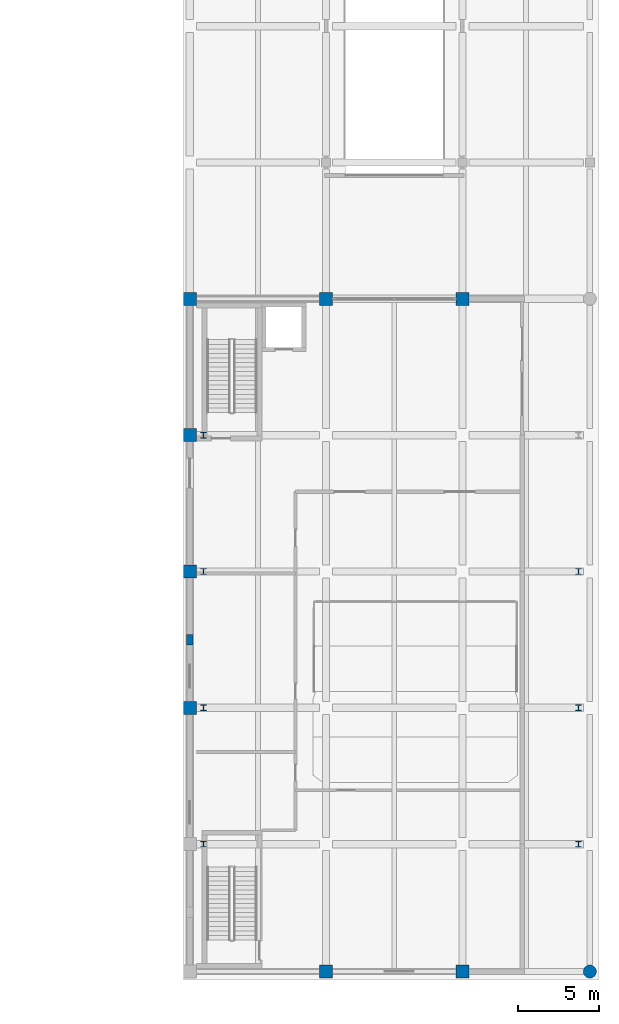
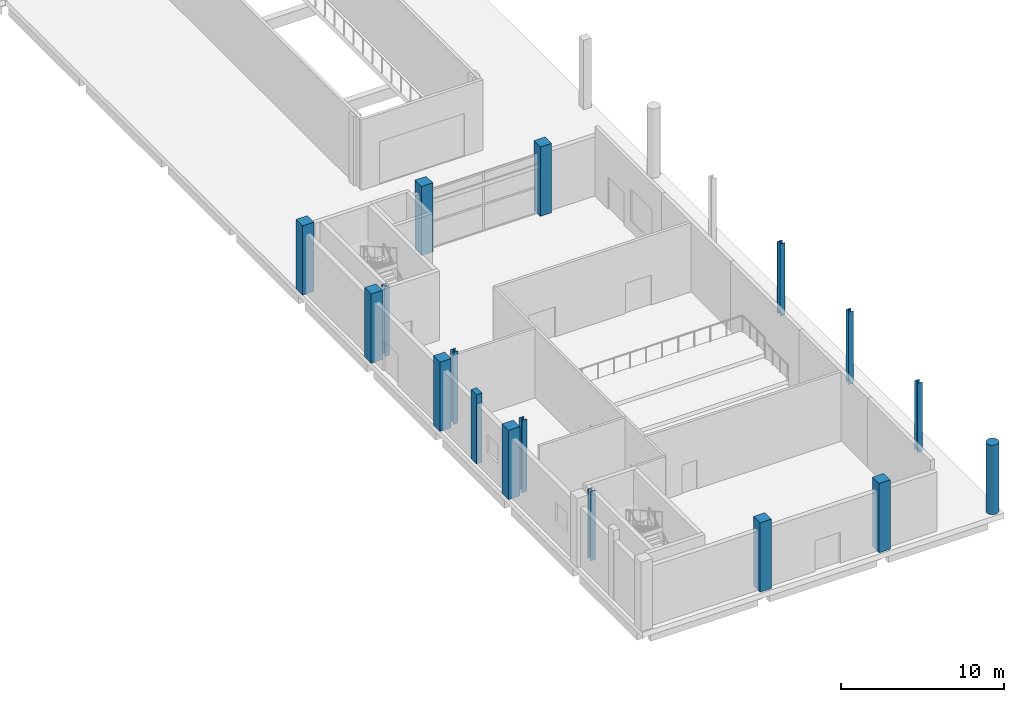
# One storey, part 2 of 34: 17 columns.
"""IFC4 building model written with IfcOpenShell, lengths in metres."""

from ifc_helpers import new_model, si_unit, direction, frame, origin, origin_2d, place, context, subcontext, project, spatial, rectangle, circle, i_section, extrude, material, material_profile, profile_set, type_object, element, save


model = new_model("IFC4")

# Units and contexts
model_context = context("Model", 3, precision=1e-05, world=origin(), true_north=direction((0.0, 1.0)))
body_context = subcontext(model_context, "Body", "Model", "MODEL_VIEW")
ifc_project = project(units=[si_unit("LENGTHUNIT", "METRE"), si_unit("AREAUNIT", "SQUARE_METRE"), si_unit("VOLUMEUNIT", "CUBIC_METRE"), si_unit("PLANEANGLEUNIT", "RADIAN"), si_unit("MASSUNIT", "GRAM", prefix="KILO")], contexts=[model_context])

# Site, building, storey
site_placement = place(None, origin())
site = spatial("IfcSite", under=ifc_project, at=site_placement, CompositionType="ELEMENT")
building_placement = place(site_placement, origin())
building = spatial("IfcBuilding", under=site, at=building_placement, Name="Brinegate Botanical Conservatory", CompositionType="ELEMENT")
storey_placement = place(building_placement, origin())
storey = spatial("IfcBuildingStorey", under=building, at=storey_placement, Name="L01", CompositionType="ELEMENT", Elevation=0.0)

# Columns
ifc_material_1 = material(Name="Concrete C40/50", Category="concrete")
ifc_material_profile_1 = material_profile(ifc_material_1, circle(Radius=0.39990234375, at=origin_2d()), Name="RC COL D800")
ifc_profile_set_1 = profile_set([ifc_material_profile_1], Name="Concrete C40/50")
column_type_1 = type_object("IfcColumnType", Name="Col_C-QL", PredefinedType="COLUMN", material=ifc_profile_set_1)
column_1_placement = place(storey_placement, frame((163.449951171875, 0.550048828125, 0.0), z_axis=(0.0, 0.0, 1.0), x_axis=(1.0, 0.0, 0.0)))
element("IfcColumn", 1, at=column_1_placement, inside=storey, type_object=column_type_1, Name="Column C-QL L01 A-21", PredefinedType="COLUMN", context=body_context, shape_type="SweptSolid", body=[
    extrude(circle(Radius=0.39990234375, at=origin_2d()), origin(), (0.0, 0.0, 1.0), 5.179931640625),
])
ifc_material_2 = material(Name="Structural steel Q355B / S355", Category="steel")
ifc_material_profile_2 = material_profile(ifc_material_2, i_section(OverallWidth=0.35009765625, OverallDepth=0.35009765625, WebThickness=0.011962890625, FlangeThickness=0.01904296875, at=origin_2d()), Name="HW 350x350x12x19")
ifc_profile_set_2 = profile_set([ifc_material_profile_2], Name="Structural steel Q355B / S355")
column_type_2 = type_object("IfcColumnType", Name="Col_C-S1", PredefinedType="COLUMN", material=ifc_profile_set_2)
column_2_placement = place(storey_placement, frame((139.64990234375, 8.39990234375, 0.0), z_axis=(0.0, 0.0, 1.0), x_axis=(1.0, 0.0, 0.0)))
element("IfcColumn", 2, at=column_2_placement, inside=storey, type_object=column_type_2, Name="Auditorium truss bearing column W1 L01", PredefinedType="COLUMN", context=body_context, shape_type="SweptSolid", body=[
    extrude(i_section(OverallWidth=0.35009765625, OverallDepth=0.35009765625, WebThickness=0.011962890625, FlangeThickness=0.01904296875, at=origin_2d()), origin(), (0.0, 0.0, 1.0), 5.179931640625),
])
for number, where, z_axis, x_axis, name in (
    (3, (139.64990234375, 16.800048828125, 0.0), (0.0, 0.0, 1.0), (1.0, 0.0, 0.0), "Auditorium truss bearing column W2 L01"),
    (4, (139.64990234375, 25.199951171875, 0.0), (0.0, 0.0, 1.0), (1.0, 0.0, 0.0), "Auditorium truss bearing column W3 L01"),
):
    element("IfcColumn", number, at=place(storey_placement, frame(where, z_axis=z_axis, x_axis=x_axis)), inside=storey, type_object=column_type_2, Name=name, PredefinedType="COLUMN", context=body_context, shape_type="SweptSolid", body=[
        extrude(i_section(OverallWidth=0.35009765625, OverallDepth=0.35009765625, WebThickness=0.011962890625, FlangeThickness=0.01904296875, at=origin_2d()), origin(), (0.0, 0.0, 1.0), 5.39990234375),
    ])
for number, where, z_axis, x_axis, name in (
    (5, (139.64990234375, 33.60009765625, 0.0), (0.0, 0.0, 1.0), (1.0, 0.0, 0.0), "Auditorium truss bearing column W4 L01"),
    (6, (162.75, 8.39990234375, 0.0), (0.0, 0.0, 1.0), (1.0, 0.0, 0.0), "Auditorium truss bearing column E1 L01"),
):
    element("IfcColumn", number, at=place(storey_placement, frame(where, z_axis=z_axis, x_axis=x_axis)), inside=storey, type_object=column_type_2, Name=name, PredefinedType="COLUMN", context=body_context, shape_type="SweptSolid", body=[
        extrude(i_section(OverallWidth=0.35009765625, OverallDepth=0.35009765625, WebThickness=0.011962890625, FlangeThickness=0.01904296875, at=origin_2d()), origin(), (0.0, 0.0, 1.0), 5.179931640625),
    ])
for number, where, z_axis, x_axis, name in (
    (7, (162.75, 16.800048828125, 0.0), (0.0, 0.0, 1.0), (1.0, 0.0, 0.0), "Auditorium truss bearing column E2 L01"),
    (8, (162.75, 25.199951171875, 0.0), (0.0, 0.0, 1.0), (1.0, 0.0, 0.0), "Auditorium truss bearing column E3 L01"),
):
    element("IfcColumn", number, at=place(storey_placement, frame(where, z_axis=z_axis, x_axis=x_axis)), inside=storey, type_object=column_type_2, Name=name, PredefinedType="COLUMN", context=body_context, shape_type="SweptSolid", body=[
        extrude(i_section(OverallWidth=0.35009765625, OverallDepth=0.35009765625, WebThickness=0.011962890625, FlangeThickness=0.01904296875, at=origin_2d()), origin(), (0.0, 0.0, 1.0), 5.39990234375),
    ])
ifc_material_profile_3 = material_profile(ifc_material_1, rectangle(XDim=0.800048828125, YDim=0.800048828125, at=origin_2d()), Name="RC COL 800x800")
ifc_profile_set_3 = profile_set([ifc_material_profile_3], Name="Concrete C40/50")
column_type_3 = type_object("IfcColumnType", Name="Col_C-W1", PredefinedType="COLUMN", material=ifc_profile_set_3)
for number, where, z_axis, x_axis, name in (
    (9, (138.800048828125, 16.800048828125, 0.0), (0.0, 0.0, 1.0), (1.0, 0.0, 0.0), "Column C-W1 L01 C-18"),
    (10, (138.800048828125, 25.199951171875, 0.0), (0.0, 0.0, 1.0), (1.0, 0.0, 0.0), "Column C-W1 L01 D-18"),
    (11, (138.800048828125, 33.60009765625, 0.0), (0.0, 0.0, 1.0), (1.0, 0.0, 0.0), "Column C-W1 L01 E-18"),
    (12, (138.800048828125, 42.0, 0.0), (0.0, 0.0, 1.0), (1.0, 0.0, 0.0), "Column C-W1 L01 F-18"),
    (13, (147.199951171875, 0.550048828125, 0.0), (0.0, 0.0, 1.0), (1.0, 0.0, 0.0), "Column C-W1 L01 A-19"),
    (14, (147.199951171875, 42.0, 0.0), (0.0, 0.0, 1.0), (1.0, 0.0, 0.0), "Column C-W1 L01 F-19"),
    (15, (155.60009765625, 0.550048828125, 0.0), (0.0, 0.0, 1.0), (1.0, 0.0, 0.0), "Column C-W1 L01 A-20"),
    (16, (155.60009765625, 42.0, 0.0), (0.0, 0.0, 1.0), (1.0, 0.0, 0.0), "Column C-W1 L01 F-20"),
):
    element("IfcColumn", number, at=place(storey_placement, frame(where, z_axis=z_axis, x_axis=x_axis)), inside=storey, type_object=column_type_3, Name=name, PredefinedType="COLUMN", context=body_context, shape_type="SweptSolid", body=[
        extrude(rectangle(XDim=0.800048828125, YDim=0.800048828125, at=origin_2d()), origin(), (0.0, 0.0, 1.0), 5.179931640625),
    ])
ifc_material_profile_4 = material_profile(ifc_material_1, rectangle(XDim=0.39990234375, YDim=0.64990234375, at=origin_2d()), Name="RC PILASTER 400x650")
ifc_profile_set_4 = profile_set([ifc_material_profile_4], Name="Concrete C40/50")
column_type_4 = type_object("IfcColumnType", Name="Col_PL-W2", PredefinedType="PILASTER", material=ifc_profile_set_4)
column_3_placement = place(storey_placement, frame((138.800048828125, 21.0, 0.0), z_axis=(0.0, 0.0, 1.0), x_axis=(1.0, 0.0, 0.0)))
element("IfcColumn", 17, at=column_3_placement, inside=storey, type_object=column_type_4, Name="Warehouse pilaster PL-W2 L01 PL-W-V2B", PredefinedType="PILASTER", context=body_context, shape_type="SweptSolid", body=[
    extrude(rectangle(XDim=0.39990234375, YDim=0.64990234375, at=origin_2d()), origin(), (0.0, 0.0, 1.0), 5.179931640625),
])

save(model, "model.ifc")
